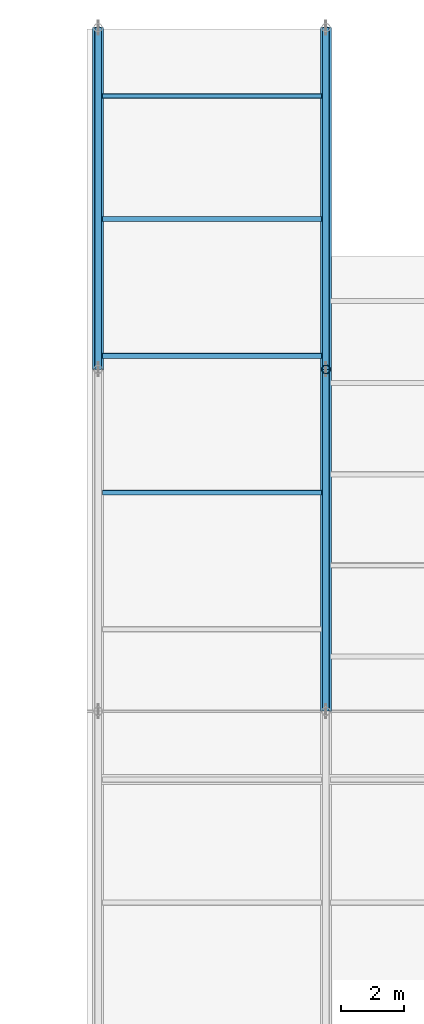
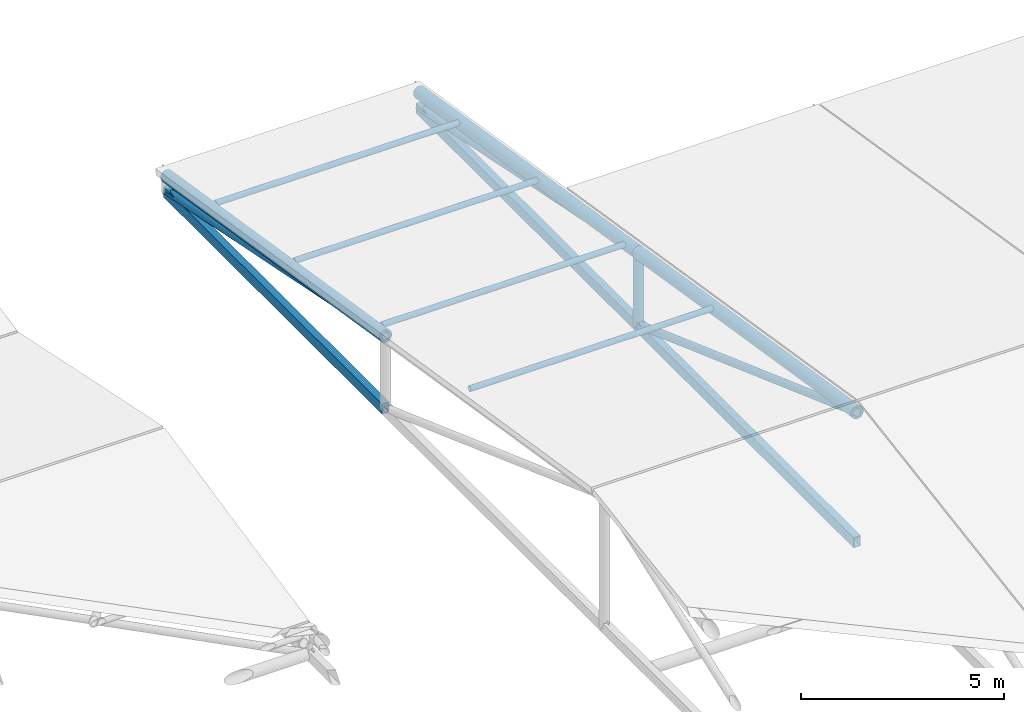
# One storey, part 39 of 72: 8 members, 6 beams.
"""IFC4 building model written with IfcOpenShell, lengths in metres."""

from ifc_helpers import new_model, si_unit, direction, frame, origin, origin_2d, place, context, subcontext, project, spatial, hollow_rectangle, hollow_circle, extrude, material, material_profile, profile_set, type_object, element, save


model = new_model("IFC4")

# Units and contexts
model_context = context("Model", 3, precision=1e-05, world=origin(), true_north=direction((0.0, 1.0)))
body_context = subcontext(model_context, "Body", "Model", "MODEL_VIEW")
ifc_project = project(units=[si_unit("LENGTHUNIT", "METRE"), si_unit("AREAUNIT", "SQUARE_METRE"), si_unit("VOLUMEUNIT", "CUBIC_METRE"), si_unit("PLANEANGLEUNIT", "RADIAN"), si_unit("MASSUNIT", "GRAM", prefix="KILO")], contexts=[model_context])

# Site, building, storey
site_placement = place(None, origin())
site = spatial("IfcSite", under=ifc_project, at=site_placement, CompositionType="ELEMENT")
building_placement = place(site_placement, origin())
building = spatial("IfcBuilding", under=site, at=building_placement, Name="Vaelcorin Mobility Hub", CompositionType="ELEMENT")
storey_placement = place(building_placement, frame((0.0, 0.0, 25.800048828125)))
storey = spatial("IfcBuildingStorey", under=building, at=storey_placement, Name="RF", CompositionType="ELEMENT", Elevation=25.800048828125)

# Members
ifc_material = material(Name="Steel ASTM A500 Grade C", Category="steel")
ifc_material_profile_1 = material_profile(ifc_material, hollow_circle(Radius=0.136474609375, WallThickness=0.0126953125, at=origin_2d()), Name="HSS10.750X0.500")
ifc_profile_set_1 = profile_set([ifc_material_profile_1], Name="Steel ASTM A500 Grade C")
member_type_1 = type_object("IfcMemberType", Name="SF-POST-10", PredefinedType="POST", material=ifc_profile_set_1)
member_1_placement = place(storey_placement, frame((130.800048828125, 109.199951171875, -4.199951171875), z_axis=(0.0, 0.0, 1.0), x_axis=(1.0, 0.0, 0.0)))
element("IfcMember", 1, at=member_1_placement, inside=storey, type_object=member_type_1, Name="V2E Drum Roof Truss Post 2-3", PredefinedType="POST", context=body_context, shape_type="SweptSolid", body=[
    extrude(hollow_circle(Radius=0.136474609375, WallThickness=0.0126953125, at=origin_2d()), origin(), (0.0, 0.0, 1.0), 2.171875),
])
ifc_material_profile_2 = material_profile(ifc_material, hollow_circle(Radius=0.084228515625, WallThickness=0.0078125, at=origin_2d()), Name="HSS6.625X0.312")
ifc_profile_set_2 = profile_set([ifc_material_profile_2], Name="Steel ASTM A500 Grade C")
member_type_2 = type_object("IfcMemberType", Name="SF-PURL-6", PredefinedType="PURLIN", material=ifc_profile_set_2)
for number, where, z_axis, x_axis, name in (
    (2, (123.739990234375, 105.31201171875, -1.31103515625), (1.0, 0.0, 0.0), (0.0, 1.0, 0.0), "V2E Drum Roof Purlin 1-2-2"),
    (3, (123.739990234375, 109.632080078125, -2.001953125), (1.0, 0.0, 0.0), (0.0, 1.0, 0.0), "V2E Drum Roof Purlin 1-2-3"),
    (4, (123.739990234375, 113.951904296875, -2.693115234375), (1.0, 0.0, 0.0), (0.0, 1.0, 0.0), "V2E Drum Roof Purlin 1-2-4"),
    (5, (123.739990234375, 117.840087890625, -3.31494140625), (1.0, 0.0, 0.0), (0.0, 1.0, 0.0), "V2E Drum Roof Purlin 1-2-5"),
):
    element("IfcMember", number, at=place(storey_placement, frame(where, z_axis=z_axis, x_axis=x_axis)), inside=storey, type_object=member_type_2, Name=name, PredefinedType="PURLIN", context=body_context, shape_type="SweptSolid", body=[
        extrude(hollow_circle(Radius=0.084228515625, WallThickness=0.0078125, at=origin_2d()), origin(), (0.0, 0.0, 1.0), 6.919921875),
    ])

# Beams
ifc_material_profile_3 = material_profile(ifc_material, hollow_circle(Radius=0.177734375, WallThickness=0.0126953125, at=origin_2d()), Name="HSS14.000X0.500")
ifc_profile_set_3 = profile_set([ifc_material_profile_3], Name="Steel ASTM A500 Grade C")
beam_type_1 = type_object("IfcBeamType", Name="TR-CHORD-14", PredefinedType="BEAM", material=ifc_profile_set_3)
for number, where, z_axis, x_axis, name in (
    (6, (123.60009765625, 109.199951171875, -2.028076171875), (0.0, 0.987440353331, -0.15799224226), (-1.0, 0.0, 0.0), "V2E Drum Roof Truss Upper Chord 1-4"),
    (7, (130.800048828125, 98.39990234375, -0.300048828125), (0.0, 0.987440353331, -0.15799224226), (-1.0, 0.0, 0.0), "V2E Drum Roof Truss Upper Chord 2-3"),
    (8, (130.800048828125, 109.199951171875, -2.028076171875), (0.0, 0.987440353331, -0.15799224226), (-1.0, 0.0, 0.0), "V2E Drum Roof Truss Upper Chord 2-4"),
):
    element("IfcBeam", number, at=place(storey_placement, frame(where, z_axis=z_axis, x_axis=x_axis)), inside=storey, type_object=beam_type_1, Name=name, PredefinedType="BEAM", context=body_context, shape_type="SweptSolid", body=[
        extrude(hollow_circle(Radius=0.177734375, WallThickness=0.0126953125, at=origin_2d()), origin(), (0.0, 0.0, 1.0), 10.9375),
    ])
ifc_material_profile_4 = material_profile(ifc_material, hollow_rectangle(XDim=0.203125, YDim=0.3046875, WallThickness=0.01171875, at=origin_2d()), Name="HSS12X8X0.500")
ifc_profile_set_4 = profile_set([ifc_material_profile_4], Name="Steel ASTM A500 Grade C")
beam_type_2 = type_object("IfcBeamType", Name="TR-CHORD-RHS12", PredefinedType="BEAM", material=ifc_profile_set_4)
for number, where, z_axis, x_axis, name in (
    (9, (123.60009765625, 109.199951171875, -4.199951171875), (0.0, 1.0, 0.0), (-1.0, 0.0, 0.0), "V2E Drum Roof Truss Lower Chord 1-4"),
    (10, (130.800048828125, 98.39990234375, -4.199951171875), (0.0, 1.0, 0.0), (-1.0, 0.0, 0.0), "V2E Drum Roof Truss Lower Chord 2-3"),
    (11, (130.800048828125, 109.199951171875, -4.199951171875), (0.0, 1.0, 0.0), (-1.0, 0.0, 0.0), "V2E Drum Roof Truss Lower Chord 2-4"),
):
    element("IfcBeam", number, at=place(storey_placement, frame(where, z_axis=z_axis, x_axis=x_axis)), inside=storey, type_object=beam_type_2, Name=name, PredefinedType="BEAM", context=body_context, shape_type="SweptSolid", body=[
        extrude(hollow_rectangle(XDim=0.203125, YDim=0.3046875, WallThickness=0.01171875, at=origin_2d()), origin(), (0.0, 0.0, 1.0), 10.800048828125),
    ])

# Members
ifc_material_profile_5 = material_profile(ifc_material, hollow_circle(Radius=0.109619140625, WallThickness=0.009521484375, at=origin_2d()), Name="HSS8.625X0.375")
ifc_profile_set_5 = profile_set([ifc_material_profile_5], Name="Steel ASTM A500 Grade C")
member_type_3 = type_object("IfcMemberType", Name="TR-WEB-8", PredefinedType="BRACE", material=ifc_profile_set_5)
member_2_placement = place(storey_placement, frame((123.60009765625, 109.199951171875, -2.028076171875), z_axis=(0.0, 0.980373000896, -0.197151665257), x_axis=(-1.0, 0.0, 0.0)))
element("IfcMember", 12, at=member_2_placement, inside=storey, type_object=member_type_3, Name="V2E Drum Roof Truss Web Diagonal 1-4", PredefinedType="BRACE", context=body_context, shape_type="SweptSolid", body=[
    extrude(hollow_circle(Radius=0.109619140625, WallThickness=0.009521484375, at=origin_2d()), origin(), (0.0, 0.0, 1.0), 11.016357421875),
])
member_3_placement = place(storey_placement, frame((130.800048828125, 98.39990234375, -0.300048828125), z_axis=(0.0, 0.940557107057, -0.339635581711), x_axis=(-1.0, 0.0, 0.0)))
element("IfcMember", 13, at=member_3_placement, inside=storey, type_object=member_type_3, Name="V2E Drum Roof Truss Web Diagonal 2-3", PredefinedType="BRACE", context=body_context, shape_type="SweptSolid", body=[
    extrude(hollow_circle(Radius=0.109619140625, WallThickness=0.009521484375, at=origin_2d()), origin(), (0.0, 0.0, 1.0), 11.482666015625),
])
member_4_placement = place(storey_placement, frame((130.800048828125, 109.199951171875, -2.028076171875), z_axis=(0.0, 0.980373000896, -0.197151665257), x_axis=(-1.0, 0.0, 0.0)))
element("IfcMember", 14, at=member_4_placement, inside=storey, type_object=member_type_3, Name="V2E Drum Roof Truss Web Diagonal 2-4", PredefinedType="BRACE", context=body_context, shape_type="SweptSolid", body=[
    extrude(hollow_circle(Radius=0.109619140625, WallThickness=0.009521484375, at=origin_2d()), origin(), (0.0, 0.0, 1.0), 11.016357421875),
])

save(model, "model.ifc")
